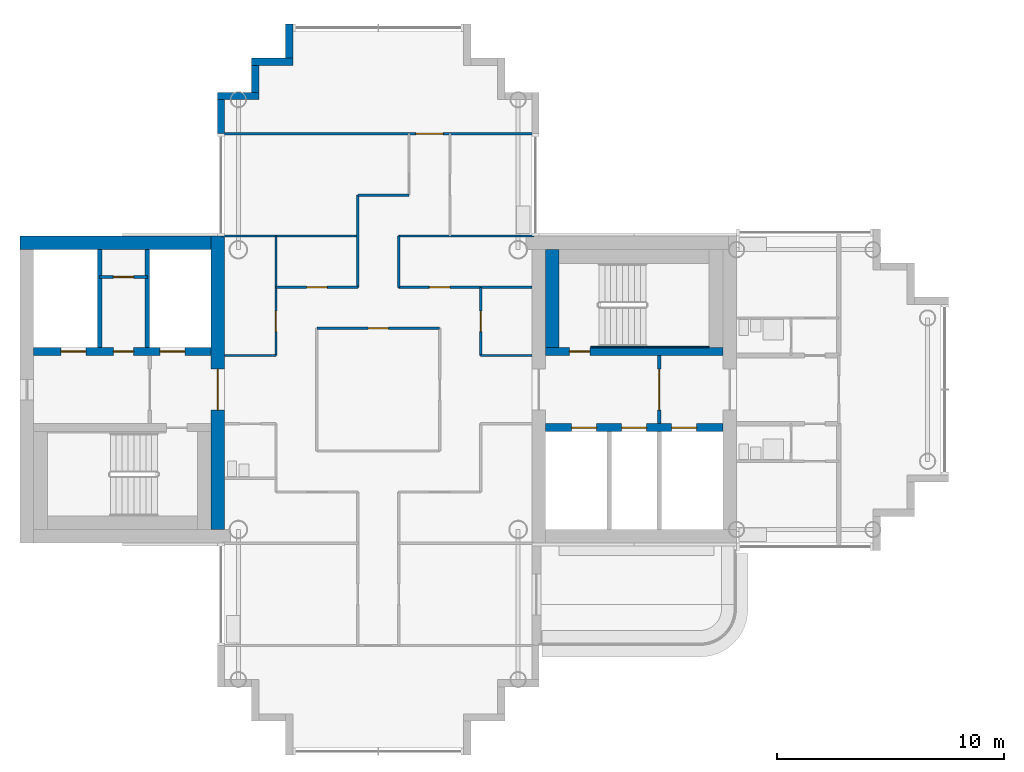
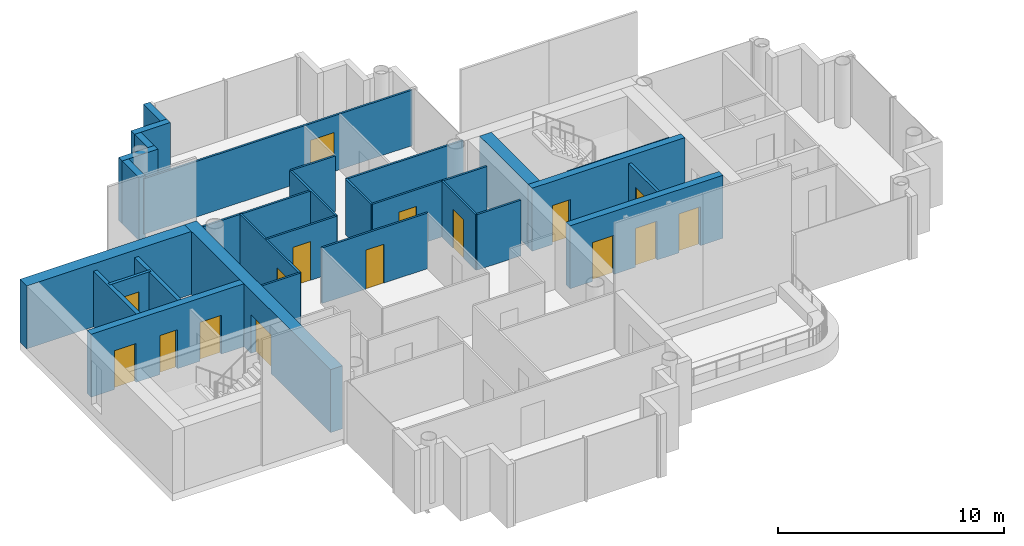
# One storey, part 7 of 18: 29 walls, 16 doors, 16 openings.
"""IFC4 building model written with IfcOpenShell, lengths in metres."""

from ifc_helpers import new_model, si_unit, direction, frame, frame_2d, origin, place, context, subcontext, project, spatial, rectangle, extrude, material, layer, layer_set, type_object, element, fill, save


model = new_model("IFC4")

# Units and contexts
model_context = context("Model", 3, precision=1e-05, world=origin(), true_north=direction((0.0, 1.0)))
body_context = subcontext(model_context, "Body", "Model", "MODEL_VIEW")
ifc_project = project(units=[si_unit("LENGTHUNIT", "METRE"), si_unit("AREAUNIT", "SQUARE_METRE"), si_unit("VOLUMEUNIT", "CUBIC_METRE"), si_unit("PLANEANGLEUNIT", "RADIAN"), si_unit("MASSUNIT", "GRAM", prefix="KILO")], contexts=[model_context])

# Site, building, storey
site_placement = place(None, origin())
site = spatial("IfcSite", under=ifc_project, at=site_placement, CompositionType="ELEMENT")
building_placement = place(site_placement, origin())
building = spatial("IfcBuilding", under=site, at=building_placement, Name="Ipe Terrace Towers", CompositionType="ELEMENT")
storey_placement = place(building_placement, frame((0.0, 0.0, 199.39990234375)))
storey = spatial("IfcBuildingStorey", under=building, at=storey_placement, Name="L55", CompositionType="ELEMENT", Elevation=199.39990234375)

# Walls
ifc_material_1 = material(Name="Concrete C40/50 with buff precast cladding", Category="concrete")
ifc_layer_1 = layer(ifc_material_1, 0.320068359375)
ifc_layer_set_1 = layer_set([ifc_layer_1], Name="BUFF CLADDING WALL 320")
wall_type_1 = type_object("IfcWallType", Name="BUFF CLADDING WALL 320", PredefinedType="STANDARD", material=ifc_layer_set_1)
wall_1_placement = place(storey_placement, frame((-39.909912109375, 16.070068359375, -0.2998046875), z_axis=(0.0, 0.0, 1.0), x_axis=(0.0, -1.0, 0.0)))
element("IfcWall", 1, at=wall_1_placement, inside=storey, type_object=wall_type_1, Name="T1-W-L55-35a wall", PredefinedType="STANDARD", context=body_context, shape_type="SweptSolid", body=[
    extrude(rectangle(XDim=1.5, YDim=0.320068359375, at=frame_2d((0.75, 0.0))), origin(), (0.0, 0.0, 1.0), 3.39990234375),
])
wall_2_placement = place(storey_placement, frame((-39.75, 14.409912109375, -0.2998046875), z_axis=(0.0, 0.0, 1.0), x_axis=(-1.0, 0.0, 0.0)))
element("IfcWall", 2, at=wall_2_placement, inside=storey, type_object=wall_type_1, Name="T1-W-L55-36a wall", PredefinedType="STANDARD", context=body_context, shape_type="SweptSolid", body=[
    extrude(rectangle(XDim=1.820068359375, YDim=0.320068359375, at=frame_2d((0.91015625, 0.0))), origin(), (0.0, 0.0, 1.0), 3.39990234375),
])
wall_3_placement = place(storey_placement, frame((-41.409912109375, 14.25, -0.2998046875), z_axis=(0.0, 0.0, 1.0), x_axis=(0.0, -1.0, 0.0)))
element("IfcWall", 3, at=wall_3_placement, inside=storey, type_object=wall_type_1, Name="T1-W-L55-37a wall", PredefinedType="STANDARD", context=body_context, shape_type="SweptSolid", body=[
    extrude(rectangle(XDim=1.179931640625, YDim=0.320068359375, at=frame_2d((0.58984375, 0.0))), origin(), (0.0, 0.0, 1.0), 3.39990234375),
])
wall_4_placement = place(storey_placement, frame((-41.25, 12.909912109375, -0.2998046875), z_axis=(0.0, 0.0, 1.0), x_axis=(-1.0, 0.0, 0.0)))
element("IfcWall", 4, at=wall_4_placement, inside=storey, type_object=wall_type_1, Name="T1-W-L55-38a wall", PredefinedType="STANDARD", context=body_context, shape_type="SweptSolid", body=[
    extrude(rectangle(XDim=1.820068359375, YDim=0.320068359375, at=frame_2d((0.91015625, 0.0))), origin(), (0.0, 0.0, 1.0), 3.39990234375),
])
wall_5_placement = place(storey_placement, frame((-42.909912109375, 12.75, -0.2998046875), z_axis=(0.0, 0.0, 1.0), x_axis=(0.0, -1.0, 0.0)))
element("IfcWall", 5, at=wall_5_placement, inside=storey, type_object=wall_type_1, Name="T1-W-L55-39a wall", PredefinedType="STANDARD", context=body_context, shape_type="SweptSolid", body=[
    extrude(rectangle(XDim=1.5, YDim=0.320068359375, at=frame_2d((0.75, 0.0))), origin(), (0.0, 0.0, 1.0), 3.39990234375),
])

# Wall, opening, door
ifc_material_2 = material(Name="Gypsum board partition", Category="plasterboard")
ifc_layer_2 = layer(ifc_material_2, 0.10009765625)
ifc_layer_set_2 = layer_set([ifc_layer_2], Name="Gypsum board partition 100 mm")
wall_type_2 = type_object("IfcWallType", Name="Gypsum board partition 100 mm", PredefinedType="PARTITIONING", material=ifc_layer_set_2)
wall_6_placement = place(storey_placement, frame((-40.5, 1.5, 0.0), z_axis=(0.0, 0.0, 1.0), x_axis=(0.0, 1.0, 0.0)))
wall_6 = element("IfcWall", 6, at=wall_6_placement, inside=storey, type_object=wall_type_2, Name="Gypsum board partition T1 L55 W02", PredefinedType="PARTITIONING", context=body_context, shape_type="SweptSolid", body=[
    extrude(rectangle(XDim=5.25, YDim=0.10009765625, at=frame_2d((2.625, 0.0))), origin(), (0.0, 0.0, 1.0), 3.0),
])
opening_1_placement = place(wall_6_placement, frame((1.050048828125, 0.0, 0.0)))
opening_1 = element("IfcOpeningElement", 7, at=opening_1_placement, cuts=wall_6, Name="Opening T1-Z4D-07", PredefinedType="OPENING", context=body_context, shape_type="SweptSolid", body=[
    extrude(rectangle(XDim=0.89990234375, YDim=2.10009765625, at=frame_2d((0.449951171875, 1.050048828125))), frame((0.0, 0.06005859375, 0.0), z_axis=(0.0, -1.0, 0.0), x_axis=(1.0, 0.0, 0.0)), (0.0, 0.0, 1.0), 0.1201171875),
])
ifc_material_3 = material(Name="Timber door leaf", Category="wood")
door_type_1 = type_object("IfcDoorType", Name="Lounge door 900 x 2100", OperationType="NOTDEFINED", PredefinedType="DOOR", material=ifc_material_3)
door_1_placement = place(opening_1_placement, origin())
door_1 = element("IfcDoor", 8, at=door_1_placement, inside=storey, type_object=door_type_1, Name="Lounge door T1-Z4D-07", OperationType="SINGLE_SWING_RIGHT", OverallHeight=2.10009765625, OverallWidth=0.89990234375, PredefinedType="DOOR", context=body_context, shape_type="SweptSolid", body=[
    extrude(rectangle(XDim=0.89990234375, YDim=2.10009765625, at=frame_2d((0.449951171875, 1.050048828125))), frame((0.0, 0.02490234375, 0.0), z_axis=(0.0, -1.0, 0.0), x_axis=(1.0, 0.0, 0.0)), (0.0, 0.0, 1.0), 0.050048828125),
])
fill(opening_1, door_1)

# Walls
wall_7_placement = place(storey_placement, frame((-36.89990234375, 4.5, 0.0), z_axis=(0.0, 0.0, 1.0), x_axis=(0.0, 1.0, 0.0)))
element("IfcWall", 9, at=wall_7_placement, inside=storey, type_object=wall_type_2, Name="Gypsum board partition T1 L55 W05", PredefinedType="PARTITIONING", context=body_context, shape_type="SweptSolid", body=[
    extrude(rectangle(XDim=4.050048828125, YDim=0.10009765625, at=frame_2d((2.02490234375, 0.0))), origin(), (0.0, 0.0, 1.0), 3.0),
])
wall_8_placement = place(storey_placement, frame((-35.10009765625, 4.5, 0.0), z_axis=(0.0, 0.0, 1.0), x_axis=(0.0, 1.0, 0.0)))
element("IfcWall", 10, at=wall_8_placement, inside=storey, type_object=wall_type_2, Name="Gypsum board partition T1 L55 W07", PredefinedType="PARTITIONING", context=body_context, shape_type="SweptSolid", body=[
    extrude(rectangle(XDim=2.25, YDim=0.10009765625, at=frame_2d((1.125, 0.0))), origin(), (0.0, 0.0, 1.0), 3.0),
])

# Wall, opening, door
wall_9_placement = place(storey_placement, frame((-31.5, 1.5, 0.0), z_axis=(0.0, 0.0, 1.0), x_axis=(0.0, 1.0, 0.0)))
wall_9 = element("IfcWall", 11, at=wall_9_placement, inside=storey, type_object=wall_type_2, Name="Gypsum board partition T1 L55 W12", PredefinedType="PARTITIONING", context=body_context, shape_type="SweptSolid", body=[
    extrude(rectangle(XDim=3.0, YDim=0.10009765625, at=frame_2d((1.5, 0.0))), origin(), (0.0, 0.0, 1.0), 3.0),
])
opening_2_placement = place(wall_9_placement, frame((1.050048828125, 0.0, 0.0)))
opening_2 = element("IfcOpeningElement", 12, at=opening_2_placement, cuts=wall_9, Name="Opening T1-Z4D-05", PredefinedType="OPENING", context=body_context, shape_type="SweptSolid", body=[
    extrude(rectangle(XDim=0.89990234375, YDim=2.10009765625, at=frame_2d((0.449951171875, 1.050048828125))), frame((0.0, 0.06005859375, 0.0), z_axis=(0.0, -1.0, 0.0), x_axis=(1.0, 0.0, 0.0)), (0.0, 0.0, 1.0), 0.1201171875),
])
door_2_placement = place(opening_2_placement, origin())
door_2 = element("IfcDoor", 13, at=door_2_placement, inside=storey, type_object=door_type_1, Name="Lounge door T1-Z4D-05", OperationType="SINGLE_SWING_RIGHT", OverallHeight=2.10009765625, OverallWidth=0.89990234375, PredefinedType="DOOR", context=body_context, shape_type="SweptSolid", body=[
    extrude(rectangle(XDim=0.89990234375, YDim=2.10009765625, at=frame_2d((0.449951171875, 1.050048828125))), frame((0.0, 0.02490234375, 0.0), z_axis=(0.0, -1.0, 0.0), x_axis=(1.0, 0.0, 0.0)), (0.0, 0.0, 1.0), 0.050048828125),
])
fill(opening_2, door_2)

# Walls
for number, where, z_axis, x_axis, name in (
    (14, (-42.75, 1.5, 0.0), (0.0, 0.0, 1.0), (1.0, 0.0, 0.0), "Gypsum board partition T1 L55 W29"),
    (15, (-31.5, 1.5, 0.0), (0.0, 0.0, 1.0), (1.0, 0.0, 0.0), "Gypsum board partition T1 L55 W30"),
):
    element("IfcWall", number, at=place(storey_placement, frame(where, z_axis=z_axis, x_axis=x_axis)), inside=storey, type_object=wall_type_2, Name=name, PredefinedType="PARTITIONING", context=body_context, shape_type="SweptSolid", body=[
        extrude(rectangle(XDim=2.25, YDim=0.10009765625, at=frame_2d((1.125, 0.0))), origin(), (0.0, 0.0, 1.0), 3.0),
    ])

# Wall, opening, door
wall_10_placement = place(storey_placement, frame((-38.699951171875, 2.699951171875, 0.0), z_axis=(0.0, 0.0, 1.0), x_axis=(1.0, 0.0, 0.0)))
wall_10 = element("IfcWall", 16, at=wall_10_placement, inside=storey, type_object=wall_type_2, Name="Gypsum board partition T1 L55 W32", PredefinedType="PARTITIONING", context=body_context, shape_type="SweptSolid", body=[
    extrude(rectangle(XDim=5.39990234375, YDim=0.10009765625, at=frame_2d((2.699951171875, 0.0))), origin(), (0.0, 0.0, 1.0), 3.0),
])
opening_3_placement = place(wall_10_placement, frame((2.25, 0.0, 0.0)))
opening_3 = element("IfcOpeningElement", 17, at=opening_3_placement, cuts=wall_10, Name="Opening T1-Z4D-01", PredefinedType="OPENING", context=body_context, shape_type="SweptSolid", body=[
    extrude(rectangle(XDim=0.89990234375, YDim=2.10009765625, at=frame_2d((0.449951171875, 1.050048828125))), frame((0.0, 0.06005859375, 0.0), z_axis=(0.0, -1.0, 0.0), x_axis=(1.0, 0.0, 0.0)), (0.0, 0.0, 1.0), 0.1201171875),
])
door_3_placement = place(opening_3_placement, origin())
door_3 = element("IfcDoor", 18, at=door_3_placement, inside=storey, type_object=door_type_1, Name="Lounge door T1-Z4D-01", OperationType="SINGLE_SWING_RIGHT", OverallHeight=2.10009765625, OverallWidth=0.89990234375, PredefinedType="DOOR", context=body_context, shape_type="SweptSolid", body=[
    extrude(rectangle(XDim=0.89990234375, YDim=2.10009765625, at=frame_2d((0.449951171875, 1.050048828125))), frame((0.0, 0.02490234375, 0.0), z_axis=(0.0, -1.0, 0.0), x_axis=(1.0, 0.0, 0.0)), (0.0, 0.0, 1.0), 0.050048828125),
])
fill(opening_3, door_3)

wall_11_placement = place(storey_placement, frame((-40.5, 4.5, 0.0), z_axis=(0.0, 0.0, 1.0), x_axis=(1.0, 0.0, 0.0)))
wall_11 = element("IfcWall", 19, at=wall_11_placement, inside=storey, type_object=wall_type_2, Name="Gypsum board partition T1 L55 W34", PredefinedType="PARTITIONING", context=body_context, shape_type="SweptSolid", body=[
    extrude(rectangle(XDim=3.60009765625, YDim=0.10009765625, at=frame_2d((1.800048828125, 0.0))), origin(), (0.0, 0.0, 1.0), 3.0),
])
opening_4_placement = place(wall_11_placement, frame((1.35009765625, 0.0, 0.0)))
opening_4 = element("IfcOpeningElement", 20, at=opening_4_placement, cuts=wall_11, Name="Opening T1-Z4D-06", PredefinedType="OPENING", context=body_context, shape_type="SweptSolid", body=[
    extrude(rectangle(XDim=0.89990234375, YDim=2.10009765625, at=frame_2d((0.449951171875, 1.050048828125))), frame((0.0, 0.06005859375, 0.0), z_axis=(0.0, -1.0, 0.0), x_axis=(1.0, 0.0, 0.0)), (0.0, 0.0, 1.0), 0.1201171875),
])
door_4_placement = place(opening_4_placement, origin())
door_4 = element("IfcDoor", 21, at=door_4_placement, inside=storey, type_object=door_type_1, Name="Lounge door T1-Z4D-06", OperationType="SINGLE_SWING_RIGHT", OverallHeight=2.10009765625, OverallWidth=0.89990234375, PredefinedType="DOOR", context=body_context, shape_type="SweptSolid", body=[
    extrude(rectangle(XDim=0.89990234375, YDim=2.10009765625, at=frame_2d((0.449951171875, 1.050048828125))), frame((0.0, 0.02490234375, 0.0), z_axis=(0.0, -1.0, 0.0), x_axis=(1.0, 0.0, 0.0)), (0.0, 0.0, 1.0), 0.050048828125),
])
fill(opening_4, door_4)

wall_12_placement = place(storey_placement, frame((-35.10009765625, 4.5, 0.0), z_axis=(0.0, 0.0, 1.0), x_axis=(1.0, 0.0, 0.0)))
wall_12 = element("IfcWall", 22, at=wall_12_placement, inside=storey, type_object=wall_type_2, Name="Gypsum board partition T1 L55 W35", PredefinedType="PARTITIONING", context=body_context, shape_type="SweptSolid", body=[
    extrude(rectangle(XDim=5.85009765625, YDim=0.10009765625, at=frame_2d((2.925048828125, 0.0))), origin(), (0.0, 0.0, 1.0), 3.0),
])
opening_5_placement = place(wall_12_placement, frame((1.35009765625, 0.0, 0.0)))
opening_5 = element("IfcOpeningElement", 23, at=opening_5_placement, cuts=wall_12, Name="Opening T1-Z4D-04", PredefinedType="OPENING", context=body_context, shape_type="SweptSolid", body=[
    extrude(rectangle(XDim=0.89990234375, YDim=2.10009765625, at=frame_2d((0.449951171875, 1.050048828125))), frame((0.0, 0.06005859375, 0.0), z_axis=(0.0, -1.0, 0.0), x_axis=(1.0, 0.0, 0.0)), (0.0, 0.0, 1.0), 0.1201171875),
])
door_5_placement = place(opening_5_placement, origin())
door_5 = element("IfcDoor", 24, at=door_5_placement, inside=storey, type_object=door_type_1, Name="Lounge door T1-Z4D-04", OperationType="SINGLE_SWING_RIGHT", OverallHeight=2.10009765625, OverallWidth=0.89990234375, PredefinedType="DOOR", context=body_context, shape_type="SweptSolid", body=[
    extrude(rectangle(XDim=0.89990234375, YDim=2.10009765625, at=frame_2d((0.449951171875, 1.050048828125))), frame((0.0, 0.02490234375, 0.0), z_axis=(0.0, -1.0, 0.0), x_axis=(1.0, 0.0, 0.0)), (0.0, 0.0, 1.0), 0.050048828125),
])
fill(opening_5, door_5)

# Walls
for number, where, z_axis, x_axis, name in (
    (25, (-42.85009765625, 6.75, 0.0), (0.0, 0.0, 1.0), (1.0, 0.0, 0.0), "Gypsum board partition T1 L55 W36"),
    (26, (-35.10009765625, 6.75, 0.0), (0.0, 0.0, 1.0), (1.0, 0.0, 0.0), "Gypsum board partition T1 L55 W37"),
):
    element("IfcWall", number, at=place(storey_placement, frame(where, z_axis=z_axis, x_axis=x_axis)), inside=storey, type_object=wall_type_2, Name=name, PredefinedType="PARTITIONING", context=body_context, shape_type="SweptSolid", body=[
        extrude(rectangle(XDim=5.9501953125, YDim=0.10009765625, at=frame_2d((2.97509765625, 0.0))), origin(), (0.0, 0.0, 1.0), 3.0),
    ])
wall_13_placement = place(storey_placement, frame((-36.89990234375, 8.550048828125, 0.0), z_axis=(0.0, 0.0, 1.0), x_axis=(1.0, 0.0, 0.0)))
element("IfcWall", 27, at=wall_13_placement, inside=storey, type_object=wall_type_2, Name="Gypsum board partition T1 L55 W38", PredefinedType="PARTITIONING", context=body_context, shape_type="SweptSolid", body=[
    extrude(rectangle(XDim=2.25, YDim=0.10009765625, at=frame_2d((1.125, 0.0))), origin(), (0.0, 0.0, 1.0), 3.0),
])

# Wall, opening, door
wall_14_placement = place(storey_placement, frame((-42.85009765625, 11.25, 0.0), z_axis=(0.0, 0.0, 1.0), x_axis=(1.0, 0.0, 0.0)))
wall_14 = element("IfcWall", 28, at=wall_14_placement, inside=storey, type_object=wall_type_2, Name="Gypsum board partition T1 L55 W39", PredefinedType="PARTITIONING", context=body_context, shape_type="SweptSolid", body=[
    extrude(rectangle(XDim=13.7001953125, YDim=0.10009765625, at=frame_2d((6.85009765625, 0.0))), origin(), (0.0, 0.0, 1.0), 3.0),
])
opening_6_placement = place(wall_14_placement, frame((8.5, 0.0, 0.0)))
opening_6 = element("IfcOpeningElement", 29, at=opening_6_placement, cuts=wall_14, Name="Opening T1-Z4D-12", PredefinedType="OPENING", context=body_context, shape_type="SweptSolid", body=[
    extrude(rectangle(XDim=1.199951171875, YDim=2.10009765625, at=frame_2d((0.60009765625, 1.050048828125))), frame((0.0, 0.06005859375, 0.0), z_axis=(0.0, -1.0, 0.0), x_axis=(1.0, 0.0, 0.0)), (0.0, 0.0, 1.0), 0.1201171875),
])
ifc_material_4 = material(Name="Timber door leaf", Category="wood")
door_type_2 = type_object("IfcDoorType", Name="Lounge door 1200 x 2100", OperationType="NOTDEFINED", PredefinedType="DOOR", material=ifc_material_4)
door_6_placement = place(opening_6_placement, origin())
door_6 = element("IfcDoor", 30, at=door_6_placement, inside=storey, type_object=door_type_2, Name="Lounge door T1-Z4D-12", OperationType="SINGLE_SWING_LEFT", OverallHeight=2.10009765625, OverallWidth=1.199951171875, PredefinedType="DOOR", context=body_context, shape_type="SweptSolid", body=[
    extrude(rectangle(XDim=1.199951171875, YDim=2.10009765625, at=frame_2d((0.60009765625, 1.050048828125))), frame((0.0, 0.02490234375, 0.0), z_axis=(0.0, -1.0, 0.0), x_axis=(1.0, 0.0, 0.0)), (0.0, 0.0, 1.0), 0.050048828125),
])
fill(opening_6, door_6)

ifc_material_5 = material(Name="Gypsum board partition", Category="plasterboard")
ifc_layer_3 = layer(ifc_material_5, 0.14990234375)
ifc_layer_set_3 = layer_set([ifc_layer_3], Name="Gypsum board partition 150 mm")
wall_type_3 = type_object("IfcWallType", Name="Gypsum board partition 150 mm", PredefinedType="PARTITIONING", material=ifc_layer_set_3)
wall_15_placement = place(storey_placement, frame((-23.64990234375, -1.5, 0.0), z_axis=(0.0, 0.0, 1.0), x_axis=(0.0, 1.0, 0.0)))
wall_15 = element("IfcWall", 31, at=wall_15_placement, inside=storey, type_object=wall_type_3, Name="Gypsum board partition T1 L55 t1c1-lobby-wall", PredefinedType="PARTITIONING", context=body_context, shape_type="SweptSolid", body=[
    extrude(rectangle(XDim=3.0, YDim=0.14990234375, at=frame_2d((1.5, 0.0))), origin(), (0.0, 0.0, 1.0), 3.0),
])
opening_7_placement = place(wall_15_placement, frame((0.60009765625, 0.0, 0.0)))
opening_7 = element("IfcOpeningElement", 32, at=opening_7_placement, cuts=wall_15, Name="Opening T1C1-VD", PredefinedType="OPENING", context=body_context, shape_type="SweptSolid", body=[
    extrude(rectangle(XDim=1.800048828125, YDim=2.10009765625, at=frame_2d((0.89990234375, 1.050048828125))), frame((0.0, 0.0849609375, 0.0), z_axis=(0.0, -1.0, 0.0), x_axis=(1.0, 0.0, 0.0)), (0.0, 0.0, 1.0), 0.169921875),
])
ifc_material_6 = material(Name="Fire-rated timber door leaf", Category="wood")
door_type_3 = type_object("IfcDoorType", Name="Lobby door 1800 x 2100 FD60", OperationType="NOTDEFINED", PredefinedType="DOOR", material=ifc_material_6)
door_7_placement = place(opening_7_placement, origin())
door_7 = element("IfcDoor", 33, at=door_7_placement, inside=storey, type_object=door_type_3, Name="Lobby door T1C1-VD", OperationType="SINGLE_SWING_LEFT", OverallHeight=2.10009765625, OverallWidth=1.800048828125, PredefinedType="DOOR", context=body_context, shape_type="SweptSolid", body=[
    extrude(rectangle(XDim=1.800048828125, YDim=2.10009765625, at=frame_2d((0.89990234375, 1.050048828125))), frame((0.0, 0.02490234375, 0.0), z_axis=(0.0, -1.0, 0.0), x_axis=(1.0, 0.0, 0.0)), (0.0, 0.0, 1.0), 0.050048828125),
])
fill(opening_7, door_7)

wall_16_placement = place(storey_placement, frame((-46.14990234375, 4.949951171875, 0.0), z_axis=(0.0, 0.0, 1.0), x_axis=(-1.0, 0.0, 0.0)))
wall_16 = element("IfcWall", 34, at=wall_16_placement, inside=storey, type_object=wall_type_3, Name="Gypsum board partition T1 L55 t1c2-q-back", PredefinedType="PARTITIONING", context=body_context, shape_type="SweptSolid", body=[
    extrude(rectangle(XDim=2.10009765625, YDim=0.14990234375, at=frame_2d((1.050048828125, 0.0))), origin(), (0.0, 0.0, 1.0), 3.0),
])
opening_8_placement = place(wall_16_placement, frame((0.60009765625, 0.0, 0.0)))
opening_8 = element("IfcOpeningElement", 35, at=opening_8_placement, cuts=wall_16, Name="Opening T1C2-RB", PredefinedType="OPENING", context=body_context, shape_type="SweptSolid", body=[
    extrude(rectangle(XDim=0.89990234375, YDim=2.10009765625, at=frame_2d((0.449951171875, 1.050048828125))), frame((0.0, 0.0849609375, 0.0), z_axis=(0.0, -1.0, 0.0), x_axis=(1.0, 0.0, 0.0)), (0.0, 0.0, 1.0), 0.169921875),
])
ifc_material_7 = material(Name="Fire-rated timber door leaf", Category="wood")
door_type_4 = type_object("IfcDoorType", Name="Service door 900 x 2100 FD60", OperationType="NOTDEFINED", PredefinedType="DOOR", material=ifc_material_7)
door_8_placement = place(opening_8_placement, origin())
door_8 = element("IfcDoor", 36, at=door_8_placement, inside=storey, type_object=door_type_4, Name="Service door T1C2-RB", OperationType="SINGLE_SWING_LEFT", OverallHeight=2.10009765625, OverallWidth=0.89990234375, PredefinedType="DOOR", context=body_context, shape_type="SweptSolid", body=[
    extrude(rectangle(XDim=0.89990234375, YDim=2.10009765625, at=frame_2d((0.449951171875, 1.050048828125))), frame((0.0, 0.02490234375, 0.0), z_axis=(0.0, -1.0, 0.0), x_axis=(1.0, 0.0, 0.0)), (0.0, 0.0, 1.0), 0.050048828125),
])
fill(opening_8, door_8)

# Walls
ifc_material_8 = material(Name="Gypsum board party wall", Category="plasterboard")
ifc_layer_4 = layer(ifc_material_8, 0.199951171875)
ifc_layer_set_4 = layer_set([ifc_layer_4], Name="Gypsum board party wall 200 mm")
wall_type_4 = type_object("IfcWallType", Name="Gypsum board party wall 200 mm", PredefinedType="SOLIDWALL", material=ifc_layer_set_4)
for number, where, z_axis, x_axis, name in (
    (37, (-48.25, 6.14990234375, 0.0), (0.0, 0.0, 1.0), (0.0, -1.0, 0.0), "Gypsum board party wall T1 L55 t1c2-shaft-div2"),
    (38, (-46.14990234375, 6.14990234375, 0.0), (0.0, 0.0, 1.0), (0.0, -1.0, 0.0), "Gypsum board party wall T1 L55 t1c2-shaft-div1"),
):
    element("IfcWall", number, at=place(storey_placement, frame(where, z_axis=z_axis, x_axis=x_axis)), inside=storey, type_object=wall_type_4, Name=name, PredefinedType="SOLIDWALL", context=body_context, shape_type="SweptSolid", body=[
        extrude(rectangle(XDim=4.2998046875, YDim=0.199951171875, at=frame_2d((2.14990234375, 0.0))), origin(), (0.0, 0.0, 1.0), 3.0),
    ])

# Wall, openings, doors
ifc_material_9 = material(Name="Concrete C40/50", Category="concrete")
ifc_layer_5 = layer(ifc_material_9, 0.35009765625)
ifc_layer_set_5 = layer_set([ifc_layer_5], Name="RW350 CORE SPINE WALL 350 C40-50")
wall_type_5 = type_object("IfcWallType", Name="RW350 CORE SPINE WALL 350 C40-50", PredefinedType="SHEAR", material=ifc_layer_set_5)
wall_17_placement = place(storey_placement, frame((-28.64990234375, -1.675048828125, 0.0), z_axis=(0.0, 0.0, 1.0), x_axis=(1.0, 0.0, 0.0)))
wall_17 = element("IfcWall", 39, at=wall_17_placement, inside=storey, type_object=wall_type_5, Name="Core spine wall T1-C1-Z4-SW1", PredefinedType="SHEAR", context=body_context, shape_type="SweptSolid", body=[
    extrude(rectangle(XDim=7.7998046875, YDim=0.35009765625, at=frame_2d((3.89990234375, 0.0))), origin(), (0.0, 0.0, 1.0), 3.400146484375),
])
opening_9_placement = place(wall_17_placement, frame((1.14990234375, 0.0, 0.0)))
opening_9 = element("IfcOpeningElement", 40, at=opening_9_placement, cuts=wall_17, Name="Opening T1C1-LD1", PredefinedType="OPENING", context=body_context, shape_type="SweptSolid", body=[
    extrude(rectangle(XDim=1.10009765625, YDim=2.10009765625, at=frame_2d((0.550048828125, 1.050048828125))), frame((0.0, 0.18505859375, 0.0), z_axis=(0.0, -1.0, 0.0), x_axis=(1.0, 0.0, 0.0)), (0.0, 0.0, 1.0), 0.3701171875),
])
opening_10_placement = place(wall_17_placement, frame((3.35009765625, 0.0, 0.0)))
opening_10 = element("IfcOpeningElement", 41, at=opening_10_placement, cuts=wall_17, Name="Opening T1C1-LD2", PredefinedType="OPENING", context=body_context, shape_type="SweptSolid", body=[
    extrude(rectangle(XDim=1.10009765625, YDim=2.10009765625, at=frame_2d((0.550048828125, 1.050048828125))), frame((0.0, 0.18505859375, 0.0), z_axis=(0.0, -1.0, 0.0), x_axis=(1.0, 0.0, 0.0)), (0.0, 0.0, 1.0), 0.3701171875),
])
opening_11_placement = place(wall_17_placement, frame((5.550048828125, 0.0, 0.0)))
opening_11 = element("IfcOpeningElement", 42, at=opening_11_placement, cuts=wall_17, Name="Opening T1C1-LD3", PredefinedType="OPENING", context=body_context, shape_type="SweptSolid", body=[
    extrude(rectangle(XDim=1.10009765625, YDim=2.10009765625, at=frame_2d((0.550048828125, 1.050048828125))), frame((0.0, 0.18505859375, 0.0), z_axis=(0.0, -1.0, 0.0), x_axis=(1.0, 0.0, 0.0)), (0.0, 0.0, 1.0), 0.3701171875),
])
ifc_material_10 = material(Name="Fire-rated timber door leaf", Category="wood")
door_type_5 = type_object("IfcDoorType", Name="Sliding door 1100 x 2100 FD60", OperationType="SLIDING_TO_LEFT", PredefinedType="DOOR", material=ifc_material_10)
door_9_placement = place(opening_9_placement, origin())
door_9 = element("IfcDoor", 43, at=door_9_placement, inside=storey, type_object=door_type_5, Name="Sliding door T1C1-LD1", OperationType="SLIDING_TO_LEFT", OverallHeight=2.10009765625, OverallWidth=1.10009765625, PredefinedType="DOOR", context=body_context, shape_type="SweptSolid", body=[
    extrude(rectangle(XDim=1.10009765625, YDim=2.10009765625, at=frame_2d((0.550048828125, 1.050048828125))), frame((0.0, 0.02490234375, 0.0), z_axis=(0.0, -1.0, 0.0), x_axis=(1.0, 0.0, 0.0)), (0.0, 0.0, 1.0), 0.050048828125),
])
fill(opening_9, door_9)
door_10_placement = place(opening_10_placement, origin())
door_10 = element("IfcDoor", 44, at=door_10_placement, inside=storey, type_object=door_type_5, Name="Sliding door T1C1-LD2", OperationType="SLIDING_TO_LEFT", OverallHeight=2.10009765625, OverallWidth=1.10009765625, PredefinedType="DOOR", context=body_context, shape_type="SweptSolid", body=[
    extrude(rectangle(XDim=1.10009765625, YDim=2.10009765625, at=frame_2d((0.550048828125, 1.050048828125))), frame((0.0, 0.02490234375, 0.0), z_axis=(0.0, -1.0, 0.0), x_axis=(1.0, 0.0, 0.0)), (0.0, 0.0, 1.0), 0.050048828125),
])
fill(opening_10, door_10)
door_11_placement = place(opening_11_placement, origin())
door_11 = element("IfcDoor", 45, at=door_11_placement, inside=storey, type_object=door_type_5, Name="Sliding door T1C1-LD3", OperationType="SLIDING_TO_LEFT", OverallHeight=2.10009765625, OverallWidth=1.10009765625, PredefinedType="DOOR", context=body_context, shape_type="SweptSolid", body=[
    extrude(rectangle(XDim=1.10009765625, YDim=2.10009765625, at=frame_2d((0.550048828125, 1.050048828125))), frame((0.0, 0.02490234375, 0.0), z_axis=(0.0, -1.0, 0.0), x_axis=(1.0, 0.0, 0.0)), (0.0, 0.0, 1.0), 0.050048828125),
])
fill(opening_11, door_11)

# Wall, opening, door
wall_18_placement = place(storey_placement, frame((-28.64990234375, 1.675048828125, 0.0), z_axis=(0.0, 0.0, 1.0), x_axis=(1.0, 0.0, 0.0)))
wall_18 = element("IfcWall", 46, at=wall_18_placement, inside=storey, type_object=wall_type_5, Name="Core spine wall T1-C1-Z4-SW2", PredefinedType="SHEAR", context=body_context, shape_type="SweptSolid", body=[
    extrude(rectangle(XDim=7.7998046875, YDim=0.35009765625, at=frame_2d((3.89990234375, 0.0))), origin(), (0.0, 0.0, 1.0), 3.400146484375),
])
opening_12_placement = place(wall_18_placement, frame((1.050048828125, 0.0, 0.0)))
opening_12 = element("IfcOpeningElement", 47, at=opening_12_placement, cuts=wall_18, Name="Opening T1C1-SD", PredefinedType="OPENING", context=body_context, shape_type="SweptSolid", body=[
    extrude(rectangle(XDim=0.89990234375, YDim=2.10009765625, at=frame_2d((0.449951171875, 1.050048828125))), frame((0.0, 0.18505859375, 0.0), z_axis=(0.0, -1.0, 0.0), x_axis=(1.0, 0.0, 0.0)), (0.0, 0.0, 1.0), 0.3701171875),
])
ifc_material_11 = material(Name="Fire-rated timber door leaf", Category="wood")
door_type_6 = type_object("IfcDoorType", Name="Stair door 900 x 2100 FD60", OperationType="NOTDEFINED", PredefinedType="DOOR", material=ifc_material_11)
door_12_placement = place(opening_12_placement, origin())
door_12 = element("IfcDoor", 48, at=door_12_placement, inside=storey, type_object=door_type_6, Name="Stair door T1C1-SD", OperationType="SINGLE_SWING_LEFT", OverallHeight=2.10009765625, OverallWidth=0.89990234375, PredefinedType="DOOR", context=body_context, shape_type="SweptSolid", body=[
    extrude(rectangle(XDim=0.89990234375, YDim=2.10009765625, at=frame_2d((0.449951171875, 1.050048828125))), frame((0.0, 0.02490234375, 0.0), z_axis=(0.0, -1.0, 0.0), x_axis=(1.0, 0.0, 0.0)), (0.0, 0.0, 1.0), 0.050048828125),
])
fill(opening_12, door_12)

# Wall, openings, doors
wall_19_placement = place(storey_placement, frame((-51.14990234375, 1.675048828125, 0.0), z_axis=(0.0, 0.0, 1.0), x_axis=(1.0, 0.0, 0.0)))
wall_19 = element("IfcWall", 49, at=wall_19_placement, inside=storey, type_object=wall_type_5, Name="Core spine wall T1-C2-Z4-SW2", PredefinedType="SHEAR", context=body_context, shape_type="SweptSolid", body=[
    extrude(rectangle(XDim=7.7998046875, YDim=0.35009765625, at=frame_2d((3.89990234375, 0.0))), origin(), (0.0, 0.0, 1.0), 3.400146484375),
])
opening_13_placement = place(wall_19_placement, frame((5.550048828125, 0.0, 0.0)))
opening_13 = element("IfcOpeningElement", 50, at=opening_13_placement, cuts=wall_19, Name="Opening T1C2-LD1", PredefinedType="OPENING", context=body_context, shape_type="SweptSolid", body=[
    extrude(rectangle(XDim=1.10009765625, YDim=2.10009765625, at=frame_2d((0.550048828125, 1.050048828125))), frame((0.0, 0.18505859375, 0.0), z_axis=(0.0, -1.0, 0.0), x_axis=(1.0, 0.0, 0.0)), (0.0, 0.0, 1.0), 0.3701171875),
])
opening_14_placement = place(wall_19_placement, frame((1.199951171875, 0.0, 0.0)))
opening_14 = element("IfcOpeningElement", 51, at=opening_14_placement, cuts=wall_19, Name="Opening T1C2-LD3", PredefinedType="OPENING", context=body_context, shape_type="SweptSolid", body=[
    extrude(rectangle(XDim=1.10009765625, YDim=2.10009765625, at=frame_2d((0.550048828125, 1.050048828125))), frame((0.0, 0.18505859375, 0.0), z_axis=(0.0, -1.0, 0.0), x_axis=(1.0, 0.0, 0.0)), (0.0, 0.0, 1.0), 0.3701171875),
])
opening_15_placement = place(wall_19_placement, frame((3.5, 0.0, 0.0)))
opening_15 = element("IfcOpeningElement", 52, at=opening_15_placement, cuts=wall_19, Name="Opening T1C2-R1", PredefinedType="OPENING", context=body_context, shape_type="SweptSolid", body=[
    extrude(rectangle(XDim=0.89990234375, YDim=2.10009765625, at=frame_2d((0.449951171875, 1.050048828125))), frame((0.0, 0.18505859375, 0.0), z_axis=(0.0, -1.0, 0.0), x_axis=(1.0, 0.0, 0.0)), (0.0, 0.0, 1.0), 0.3701171875),
])
door_13_placement = place(opening_13_placement, origin())
door_13 = element("IfcDoor", 53, at=door_13_placement, inside=storey, type_object=door_type_5, Name="Sliding door T1C2-LD1", OperationType="SLIDING_TO_LEFT", OverallHeight=2.10009765625, OverallWidth=1.10009765625, PredefinedType="DOOR", context=body_context, shape_type="SweptSolid", body=[
    extrude(rectangle(XDim=1.10009765625, YDim=2.10009765625, at=frame_2d((0.550048828125, 1.050048828125))), frame((0.0, 0.02490234375, 0.0), z_axis=(0.0, -1.0, 0.0), x_axis=(1.0, 0.0, 0.0)), (0.0, 0.0, 1.0), 0.050048828125),
])
fill(opening_13, door_13)
door_14_placement = place(opening_14_placement, origin())
door_14 = element("IfcDoor", 54, at=door_14_placement, inside=storey, type_object=door_type_5, Name="Sliding door T1C2-LD3", OperationType="SLIDING_TO_LEFT", OverallHeight=2.10009765625, OverallWidth=1.10009765625, PredefinedType="DOOR", context=body_context, shape_type="SweptSolid", body=[
    extrude(rectangle(XDim=1.10009765625, YDim=2.10009765625, at=frame_2d((0.550048828125, 1.050048828125))), frame((0.0, 0.02490234375, 0.0), z_axis=(0.0, -1.0, 0.0), x_axis=(1.0, 0.0, 0.0)), (0.0, 0.0, 1.0), 0.050048828125),
])
fill(opening_14, door_14)
ifc_material_12 = material(Name="Fire-rated timber door leaf", Category="wood")
door_type_7 = type_object("IfcDoorType", Name="Store door 900 x 2100 FD30S", OperationType="NOTDEFINED", PredefinedType="DOOR", material=ifc_material_12)
door_15_placement = place(opening_15_placement, origin())
door_15 = element("IfcDoor", 55, at=door_15_placement, inside=storey, type_object=door_type_7, Name="Store door T1C2-R1", OperationType="SINGLE_SWING_LEFT", OverallHeight=2.10009765625, OverallWidth=0.89990234375, PredefinedType="DOOR", context=body_context, shape_type="SweptSolid", body=[
    extrude(rectangle(XDim=0.89990234375, YDim=2.10009765625, at=frame_2d((0.449951171875, 1.050048828125))), frame((0.0, 0.02490234375, 0.0), z_axis=(0.0, -1.0, 0.0), x_axis=(1.0, 0.0, 0.0)), (0.0, 0.0, 1.0), 0.050048828125),
])
fill(opening_15, door_15)

# Walls
ifc_material_13 = material(Name="Concrete C40/50", Category="concrete")
ifc_layer_6 = layer(ifc_material_13, 0.050048828125)
ifc_layer_set_6 = layer_set([ifc_layer_6], Name="RW50 CORE INFILL WALL 50 C40-50")
wall_type_6 = type_object("IfcWallType", Name="RW50 CORE INFILL WALL 50 C40-50", PredefinedType="SHEAR", material=ifc_layer_set_6)
wall_20_placement = place(storey_placement, frame((-26.64990234375, 1.875, 0.0), z_axis=(0.0, 0.0, 1.0), x_axis=(1.0, 0.0, 0.0)))
element("IfcWall", 56, at=wall_20_placement, inside=storey, type_object=wall_type_6, Name="Core infill wall T1-C1-spine-b", PredefinedType="SHEAR", context=body_context, shape_type="SweptSolid", body=[
    extrude(rectangle(XDim=5.199951171875, YDim=0.050048828125, at=frame_2d((2.60009765625, 0.0))), origin(), (0.0, 0.0, 1.0), 3.400146484375),
])
ifc_material_14 = material(Name="Concrete C40/50", Category="concrete")
ifc_layer_7 = layer(ifc_material_14, 0.60009765625)
ifc_layer_set_7 = layer_set([ifc_layer_7], Name="RW600 CORE INFILL WALL 600 C40-50")
wall_type_7 = type_object("IfcWallType", Name="RW600 CORE INFILL WALL 600 C40-50", PredefinedType="SHEAR", material=ifc_layer_set_7)
wall_21_placement = place(storey_placement, frame((-28.35009765625, 1.85009765625, 0.0), z_axis=(0.0, 0.0, 1.0), x_axis=(0.0, 1.0, 0.0)))
element("IfcWall", 57, at=wall_21_placement, inside=storey, type_object=wall_type_7, Name="Core infill wall T1-C1-near", PredefinedType="SHEAR", context=body_context, shape_type="SweptSolid", body=[
    extrude(rectangle(XDim=4.2998046875, YDim=0.60009765625, at=frame_2d((2.14990234375, 0.0))), origin(), (0.0, 0.0, 1.0), 3.400146484375),
])

# Wall, opening, door
ifc_material_15 = material(Name="Concrete C40/50", Category="concrete")
ifc_layer_8 = layer(ifc_material_15, 0.60009765625)
ifc_layer_set_8 = layer_set([ifc_layer_8], Name="RW600 CORE WALL 600 C40-50")
wall_type_8 = type_object("IfcWallType", Name="RW600 CORE WALL 600 C40-50", PredefinedType="SHEAR", material=ifc_layer_set_8)
wall_22_placement = place(storey_placement, frame((-43.050048828125, -6.14990234375, 0.0), z_axis=(0.0, 0.0, 1.0), x_axis=(0.0, 1.0, 0.0)))
wall_22 = element("IfcWall", 58, at=wall_22_placement, inside=storey, type_object=wall_type_8, Name="Core wall T1-C2-Z4-W02", PredefinedType="SHEAR", context=body_context, shape_type="SweptSolid", body=[
    extrude(rectangle(XDim=12.89990234375, YDim=0.60009765625, at=frame_2d((6.449951171875, 0.0))), origin(), (0.0, 0.0, 1.0), 3.400146484375),
])
opening_16_placement = place(wall_22_placement, frame((5.25, 0.0, 0.0)))
opening_16 = element("IfcOpeningElement", 59, at=opening_16_placement, cuts=wall_22, Name="Opening T1C2-ND", PredefinedType="OPENING", context=body_context, shape_type="SweptSolid", body=[
    extrude(rectangle(XDim=1.800048828125, YDim=2.10009765625, at=frame_2d((0.89990234375, 1.050048828125))), frame((0.0, 0.31005859375, 0.0), z_axis=(0.0, -1.0, 0.0), x_axis=(1.0, 0.0, 0.0)), (0.0, 0.0, 1.0), 0.6201171875),
])
ifc_material_16 = material(Name="Fire-rated timber door leaf", Category="wood")
door_type_8 = type_object("IfcDoorType", Name="Fire door 1800 x 2100 FD30S", OperationType="NOTDEFINED", PredefinedType="DOOR", material=ifc_material_16)
door_16_placement = place(opening_16_placement, origin())
door_16 = element("IfcDoor", 60, at=door_16_placement, inside=storey, type_object=door_type_8, Name="Fire door T1C2-ND", OperationType="SINGLE_SWING_LEFT", OverallHeight=2.10009765625, OverallWidth=1.800048828125, PredefinedType="DOOR", context=body_context, shape_type="SweptSolid", body=[
    extrude(rectangle(XDim=1.800048828125, YDim=2.10009765625, at=frame_2d((0.89990234375, 1.050048828125))), frame((0.0, 0.02490234375, 0.0), z_axis=(0.0, -1.0, 0.0), x_axis=(1.0, 0.0, 0.0)), (0.0, 0.0, 1.0), 0.050048828125),
])
fill(opening_16, door_16)

# Wall
wall_23_placement = place(storey_placement, frame((-43.35009765625, 6.449951171875, 0.0), z_axis=(0.0, 0.0, 1.0), x_axis=(-1.0, 0.0, 0.0)))
element("IfcWall", 61, at=wall_23_placement, inside=storey, type_object=wall_type_8, Name="Core wall T1-C2-Z4-W03", PredefinedType="SHEAR", context=body_context, shape_type="SweptSolid", body=[
    extrude(rectangle(XDim=8.39990234375, YDim=0.60009765625, at=frame_2d((4.199951171875, 0.0))), origin(), (0.0, 0.0, 1.0), 3.400146484375),
])

save(model, "model.ifc")
